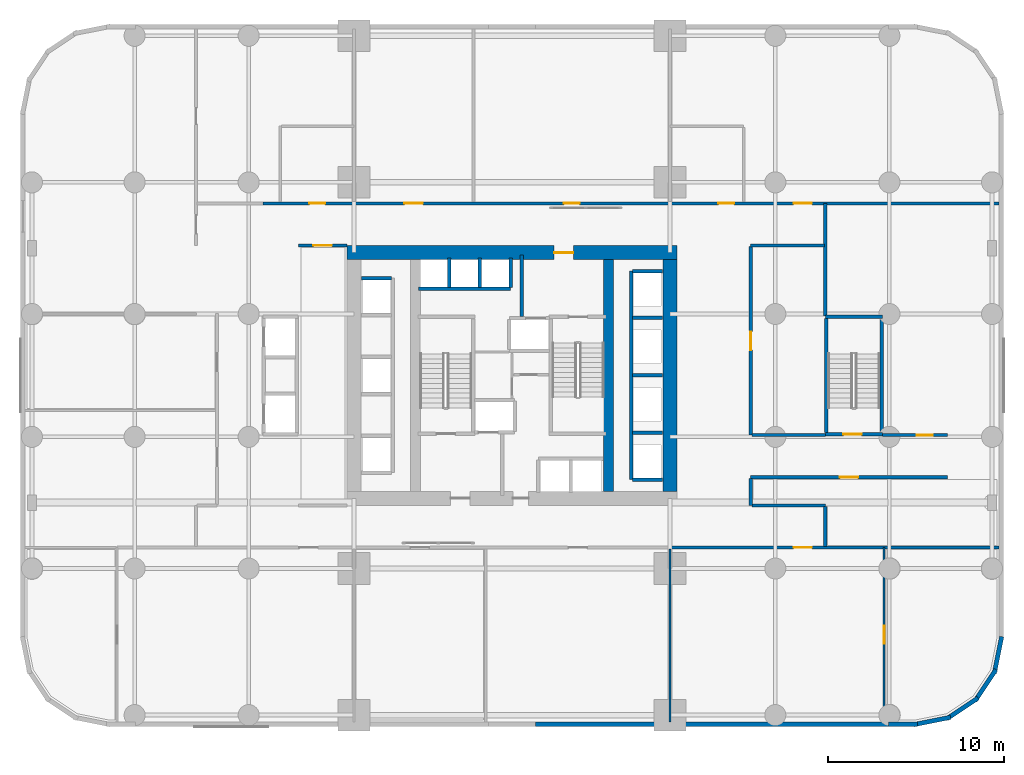
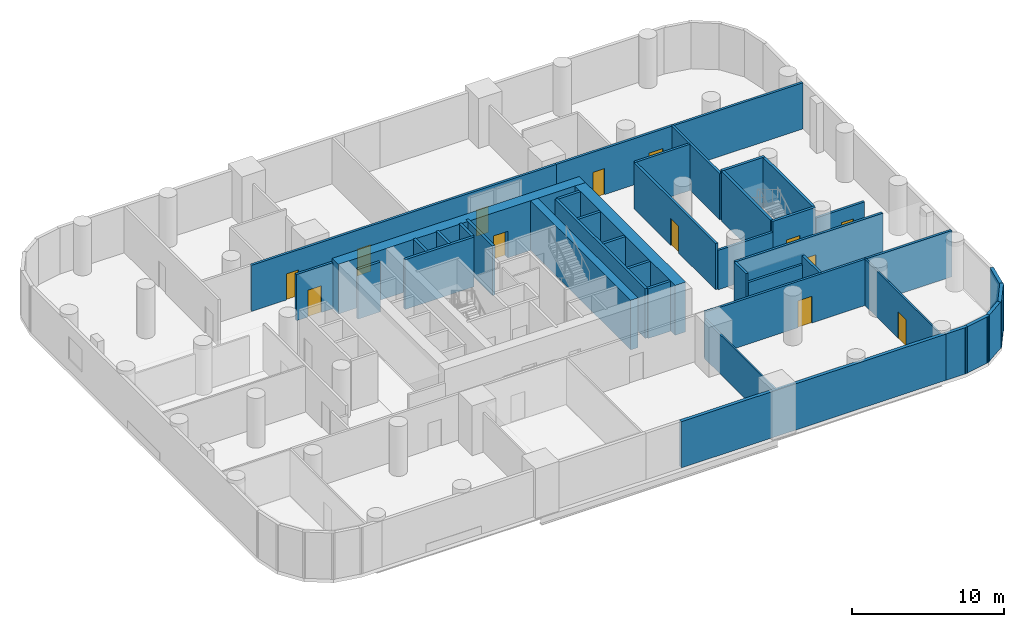
# One storey, part 8 of 12: 40 walls, 13 doors, 13 openings.
"""IFC4 building model written with IfcOpenShell, lengths in metres."""

from ifc_helpers import new_model, si_unit, direction, frame, frame_2d, origin, place, context, subcontext, project, spatial, rectangle, extrude, material, layer, layer_set, type_object, element, fill, save


model = new_model("IFC4")

# Units and contexts
model_context = context("Model", 3, precision=1e-05, world=origin(), true_north=direction((0.0, 1.0)))
body_context = subcontext(model_context, "Body", "Model", "MODEL_VIEW")
ifc_project = project(units=[si_unit("LENGTHUNIT", "METRE"), si_unit("AREAUNIT", "SQUARE_METRE"), si_unit("VOLUMEUNIT", "CUBIC_METRE"), si_unit("PLANEANGLEUNIT", "RADIAN"), si_unit("MASSUNIT", "GRAM", prefix="KILO")], contexts=[model_context])

# Site, building, storey
site_placement = place(None, origin())
site = spatial("IfcSite", under=ifc_project, at=site_placement, CompositionType="ELEMENT")
building_placement = place(site_placement, origin())
building = spatial("IfcBuilding", under=site, at=building_placement, Name="Veldorim Arch Residences", CompositionType="ELEMENT")
storey_placement = place(building_placement, frame((0.0, 0.0, 12.0)))
storey = spatial("IfcBuildingStorey", under=building, at=storey_placement, Name="L03", CompositionType="ELEMENT", Elevation=12.0)

# Wall, opening, door
ifc_material_1 = material(Name="Acoustic Gypsum Board", Category="gypsum")
ifc_layer_1 = layer(ifc_material_1, 0.125, Name="Acoustic Stud Room Partition Wall 125")
ifc_layer_set_1 = layer_set([ifc_layer_1], Name="Acoustic Gypsum Board")
wall_type_1 = type_object("IfcWallType", Name="Acoustic Stud Room Partition Wall 125", PredefinedType="PARTITIONING", material=ifc_layer_set_1)
wall_1_placement = place(storey_placement, frame((53.199951171875, 14.199951171875, 0.0), z_axis=(0.0, 0.0, 1.0), x_axis=(0.0, -1.0, 0.0)))
wall_1 = element("IfcWall", 1, at=wall_1_placement, inside=storey, type_object=wall_type_1, Name="L03 interior wall WL-POD-L03-029", PredefinedType="PARTITIONING", context=body_context, shape_type="SweptSolid", body=[
    extrude(rectangle(XDim=9.949951171875, YDim=0.125, at=frame_2d((4.97509765625, 0.0))), origin(), (0.0, 0.0, 1.0), 3.715087890625),
])
opening_1_placement = place(wall_1_placement, frame((4.449951171875, 0.0, 0.0)))
opening_1 = element("IfcOpeningElement", 2, at=opening_1_placement, cuts=wall_1, Name="Opening DR-CLN", PredefinedType="OPENING", context=body_context, shape_type="SweptSolid", body=[
    extrude(rectangle(XDim=1.050048828125, YDim=2.14990234375, at=frame_2d((0.52490234375, 1.074951171875))), frame((0.0, 0.072509765625, 0.0), z_axis=(0.0, -1.0, 0.0), x_axis=(1.0, 0.0, 0.0)), (0.0, 0.0, 1.0), 0.14501953125),
])
ifc_material_2 = material(Name="Timber & Vision Panel", Category="wood")
door_type_1 = type_object("IfcDoorType", Name="Polyclinic Wheelchair-Accessible Consultation Door 1050x2150", OperationType="SINGLE_SWING_LEFT", PredefinedType="DOOR", material=ifc_material_2)
door_1_placement = place(opening_1_placement, origin())
door_1 = element("IfcDoor", 3, at=door_1_placement, inside=storey, type_object=door_type_1, Name="L03 interior door DR-POD-L03-010", OperationType="SINGLE_SWING_RIGHT", OverallHeight=2.14990234375, OverallWidth=1.050048828125, PredefinedType="DOOR", context=body_context, shape_type="SweptSolid", body=[
    extrude(rectangle(XDim=1.050048828125, YDim=2.14990234375, at=frame_2d((0.52490234375, 1.074951171875))), frame((0.0, 0.02490234375, 0.0), z_axis=(0.0, -1.0, 0.0), x_axis=(1.0, 0.0, 0.0)), (0.0, 0.0, 1.0), 0.050048828125),
])
fill(opening_1, door_1)

# Wall
wall_2_placement = place(storey_placement, frame((41.0, 4.25, 0.0), z_axis=(0.0, 0.0, 1.0), x_axis=(0.0, 1.0, 0.0)))
element("IfcWall", 4, at=wall_2_placement, inside=storey, type_object=wall_type_1, Name="L03 interior wall WL-POD-L03-030", PredefinedType="PARTITIONING", context=body_context, shape_type="SweptSolid", body=[
    extrude(rectangle(XDim=9.85009765625, YDim=0.125, at=frame_2d((4.925048828125, 0.0))), origin(), (0.0, 0.0, 1.0), 3.17138671875),
])

# Wall, openings, doors
ifc_material_3 = material(Name="Lightweight Masonry Block & Gypsum", Category="masonry")
ifc_layer_2 = layer(ifc_material_3, 0.179931640625, Name="Compartment & Corridor Fire-Rated Party Wall 180")
ifc_layer_set_2 = layer_set([ifc_layer_2], Name="Lightweight Masonry Block & Gypsum")
wall_type_2 = type_object("IfcWallType", Name="Compartment & Corridor Fire-Rated Party Wall 180", PredefinedType="PARTITIONING", material=ifc_layer_set_2)
wall_3_placement = place(storey_placement, frame((17.800048828125, 33.800048828125, 0.0), z_axis=(0.0, 0.0, 1.0), x_axis=(1.0, 0.0, 0.0)))
wall_3 = element("IfcWall", 5, at=wall_3_placement, inside=storey, type_object=wall_type_2, Name="L03 interior wall WL-POD-L03-006", PredefinedType="PARTITIONING", context=body_context, shape_type="SweptSolid", body=[
    extrude(rectangle(XDim=23.219970703125, YDim=0.179931640625, at=frame_2d((11.60986328125, 0.0))), origin(), (0.0, 0.0, 1.0), 3.715087890625),
])
opening_2_placement = place(wall_3_placement, frame((2.64990234375, 0.0, 0.0)))
opening_2 = element("IfcOpeningElement", 6, at=opening_2_placement, cuts=wall_3, Name="Opening DR-WC", PredefinedType="OPENING", context=body_context, shape_type="SweptSolid", body=[
    extrude(rectangle(XDim=0.89990234375, YDim=2.10009765625, at=frame_2d((0.449951171875, 1.050048828125))), frame((0.0, 0.099853515625, 0.0), z_axis=(0.0, -1.0, 0.0), x_axis=(1.0, 0.0, 0.0)), (0.0, 0.0, 1.0), 0.199951171875),
])
opening_3_placement = place(wall_3_placement, frame((8.074951171875, 0.0, 0.0)))
opening_3 = element("IfcOpeningElement", 7, at=opening_3_placement, cuts=wall_3, Name="Opening DR-CLN", PredefinedType="OPENING", context=body_context, shape_type="SweptSolid", body=[
    extrude(rectangle(XDim=1.050048828125, YDim=2.14990234375, at=frame_2d((0.52490234375, 1.074951171875))), frame((0.0, 0.099853515625, 0.0), z_axis=(0.0, -1.0, 0.0), x_axis=(1.0, 0.0, 0.0)), (0.0, 0.0, 1.0), 0.199951171875),
])
opening_4_placement = place(wall_3_placement, frame((17.14990234375, 0.0, 0.0)))
opening_4 = element("IfcOpeningElement", 8, at=opening_4_placement, cuts=wall_3, Name="Opening DR-INT", PredefinedType="OPENING", context=body_context, shape_type="SweptSolid", body=[
    extrude(rectangle(XDim=0.89990234375, YDim=2.10009765625, at=frame_2d((0.449951171875, 1.050048828125))), frame((0.0, 0.099853515625, 0.0), z_axis=(0.0, -1.0, 0.0), x_axis=(1.0, 0.0, 0.0)), (0.0, 0.0, 1.0), 0.199951171875),
])
ifc_material_4 = material(Name="Engineered Timber", Category="wood")
door_type_2 = type_object("IfcDoorType", Name="Apartment Internal Room Timber Door 900x2100", OperationType="SINGLE_SWING_LEFT", PredefinedType="DOOR", material=ifc_material_4)
door_2_placement = place(opening_4_placement, origin())
door_2 = element("IfcDoor", 9, at=door_2_placement, inside=storey, type_object=door_type_2, Name="L03 interior door DR-POD-L03-019", OperationType="SINGLE_SWING_LEFT", OverallHeight=2.10009765625, OverallWidth=0.89990234375, PredefinedType="DOOR", context=body_context, shape_type="SweptSolid", body=[
    extrude(rectangle(XDim=0.89990234375, YDim=2.10009765625, at=frame_2d((0.449951171875, 1.050048828125))), frame((0.0, 0.02490234375, 0.0), z_axis=(0.0, -1.0, 0.0), x_axis=(1.0, 0.0, 0.0)), (0.0, 0.0, 1.0), 0.050048828125),
])
fill(opening_4, door_2)
ifc_material_5 = material(Name="Laminate Timber", Category="wood")
door_type_3 = type_object("IfcDoorType", Name="Bathroom & Accessible WC Moisture-Sealed Door 900x2100", OperationType="SINGLE_SWING_LEFT", PredefinedType="DOOR", material=ifc_material_5)
door_3_placement = place(opening_2_placement, origin())
door_3 = element("IfcDoor", 10, at=door_3_placement, inside=storey, type_object=door_type_3, Name="L03 interior door DR-POD-L03-006", OperationType="SINGLE_SWING_RIGHT", OverallHeight=2.10009765625, OverallWidth=0.89990234375, PredefinedType="DOOR", context=body_context, shape_type="SweptSolid", body=[
    extrude(rectangle(XDim=0.89990234375, YDim=2.10009765625, at=frame_2d((0.449951171875, 1.050048828125))), frame((0.0, 0.02490234375, 0.0), z_axis=(0.0, -1.0, 0.0), x_axis=(1.0, 0.0, 0.0)), (0.0, 0.0, 1.0), 0.050048828125),
])
fill(opening_2, door_3)
door_4_placement = place(opening_3_placement, origin())
door_4 = element("IfcDoor", 11, at=door_4_placement, inside=storey, type_object=door_type_1, Name="L03 interior door DR-POD-L03-018", OperationType="SINGLE_SWING_RIGHT", OverallHeight=2.14990234375, OverallWidth=1.050048828125, PredefinedType="DOOR", context=body_context, shape_type="SweptSolid", body=[
    extrude(rectangle(XDim=1.050048828125, YDim=2.14990234375, at=frame_2d((0.52490234375, 1.074951171875))), frame((0.0, 0.02490234375, 0.0), z_axis=(0.0, -1.0, 0.0), x_axis=(1.0, 0.0, 0.0)), (0.0, 0.0, 1.0), 0.050048828125),
])
fill(opening_3, door_4)

# Wall, opening, door
wall_4_placement = place(storey_placement, frame((22.60009765625, 31.39990234375, 0.0), z_axis=(0.0, 0.0, 1.0), x_axis=(-1.0, 0.0, 0.0)))
wall_4 = element("IfcWall", 12, at=wall_4_placement, inside=storey, type_object=wall_type_2, Name="L03 interior wall WL-POD-L03-008", PredefinedType="PARTITIONING", context=body_context, shape_type="SweptSolid", body=[
    extrude(rectangle(XDim=2.77001953125, YDim=0.179931640625, at=frame_2d((1.385009765625, 0.0))), origin(), (0.0, 0.0, 1.0), 3.715087890625),
])
opening_5_placement = place(wall_4_placement, frame((0.860107421875, 0.0, 0.0)))
opening_5 = element("IfcOpeningElement", 13, at=opening_5_placement, cuts=wall_4, Name="Opening DR-CLN", PredefinedType="OPENING", context=body_context, shape_type="SweptSolid", body=[
    extrude(rectangle(XDim=1.050048828125, YDim=2.14990234375, at=frame_2d((0.52490234375, 1.074951171875))), frame((0.0, 0.099853515625, 0.0), z_axis=(0.0, -1.0, 0.0), x_axis=(1.0, 0.0, 0.0)), (0.0, 0.0, 1.0), 0.199951171875),
])
door_5_placement = place(opening_5_placement, origin())
door_5 = element("IfcDoor", 14, at=door_5_placement, inside=storey, type_object=door_type_1, Name="L03 interior door DR-POD-L03-008", OperationType="SINGLE_SWING_RIGHT", OverallHeight=2.14990234375, OverallWidth=1.050048828125, PredefinedType="DOOR", context=body_context, shape_type="SweptSolid", body=[
    extrude(rectangle(XDim=1.050048828125, YDim=2.14990234375, at=frame_2d((0.52490234375, 1.074951171875))), frame((0.0, 0.02490234375, 0.0), z_axis=(0.0, -1.0, 0.0), x_axis=(1.0, 0.0, 0.0)), (0.0, 0.0, 1.0), 0.050048828125),
])
fill(opening_5, door_5)

wall_5_placement = place(storey_placement, frame((59.75, 14.199951171875, 0.0), z_axis=(0.0, 0.0, 1.0), x_axis=(-1.0, 0.0, 0.0)))
wall_5 = element("IfcWall", 15, at=wall_5_placement, inside=storey, type_object=wall_type_2, Name="L03 interior wall WL-POD-L03-010", PredefinedType="PARTITIONING", context=body_context, shape_type="SweptSolid", body=[
    extrude(rectangle(XDim=18.77001953125, YDim=0.179931640625, at=frame_2d((9.385009765625, 0.0))), origin(), (0.0, 0.0, 1.0), 3.715087890625),
])
opening_6_placement = place(wall_5_placement, frame((10.659912109375, 0.0, 0.0)))
opening_6 = element("IfcOpeningElement", 16, at=opening_6_placement, cuts=wall_5, Name="Opening DR-CLN", PredefinedType="OPENING", context=body_context, shape_type="SweptSolid", body=[
    extrude(rectangle(XDim=1.050048828125, YDim=2.14990234375, at=frame_2d((0.52490234375, 1.074951171875))), frame((0.0, 0.099853515625, 0.0), z_axis=(0.0, -1.0, 0.0), x_axis=(1.0, 0.0, 0.0)), (0.0, 0.0, 1.0), 0.199951171875),
])
door_6_placement = place(opening_6_placement, origin())
door_6 = element("IfcDoor", 17, at=door_6_placement, inside=storey, type_object=door_type_1, Name="L03 interior door DR-POD-L03-009", OperationType="SINGLE_SWING_LEFT", OverallHeight=2.14990234375, OverallWidth=1.050048828125, PredefinedType="DOOR", context=body_context, shape_type="SweptSolid", body=[
    extrude(rectangle(XDim=1.050048828125, YDim=2.14990234375, at=frame_2d((0.52490234375, 1.074951171875))), frame((0.0, 0.02490234375, 0.0), z_axis=(0.0, -1.0, 0.0), x_axis=(1.0, 0.0, 0.0)), (0.0, 0.0, 1.0), 0.050048828125),
])
fill(opening_6, door_6)

wall_6_placement = place(storey_placement, frame((56.800048828125, 18.199951171875, 0.0), z_axis=(0.0, 0.0, 1.0), x_axis=(-1.0, 0.0, 0.0)))
wall_6 = element("IfcWall", 18, at=wall_6_placement, inside=storey, type_object=wall_type_2, Name="L03 interior wall WL-POD-L03-011", PredefinedType="PARTITIONING", context=body_context, shape_type="SweptSolid", body=[
    extrude(rectangle(XDim=11.199951171875, YDim=0.179931640625, at=frame_2d((5.60009765625, 0.0))), origin(), (0.0, 0.0, 1.0), 3.715087890625),
])
opening_7_placement = place(wall_6_placement, frame((5.074951171875, 0.0, 0.0)))
opening_7 = element("IfcOpeningElement", 19, at=opening_7_placement, cuts=wall_6, Name="Opening DR-CLN", PredefinedType="OPENING", context=body_context, shape_type="SweptSolid", body=[
    extrude(rectangle(XDim=1.050048828125, YDim=2.14990234375, at=frame_2d((0.52490234375, 1.074951171875))), frame((0.0, 0.099853515625, 0.0), z_axis=(0.0, -1.0, 0.0), x_axis=(1.0, 0.0, 0.0)), (0.0, 0.0, 1.0), 0.199951171875),
])
door_7_placement = place(opening_7_placement, origin())
door_7 = element("IfcDoor", 20, at=door_7_placement, inside=storey, type_object=door_type_1, Name="L03 interior door DR-POD-L03-011", OperationType="SINGLE_SWING_LEFT", OverallHeight=2.14990234375, OverallWidth=1.050048828125, PredefinedType="DOOR", context=body_context, shape_type="SweptSolid", body=[
    extrude(rectangle(XDim=1.050048828125, YDim=2.14990234375, at=frame_2d((0.52490234375, 1.074951171875))), frame((0.0, 0.02490234375, 0.0), z_axis=(0.0, -1.0, 0.0), x_axis=(1.0, 0.0, 0.0)), (0.0, 0.0, 1.0), 0.050048828125),
])
fill(opening_7, door_7)

# Walls
wall_7_placement = place(storey_placement, frame((45.60009765625, 18.139892578125, 0.0), z_axis=(0.0, 0.0, 1.0), x_axis=(0.0, -1.0, 0.0)))
element("IfcWall", 21, at=wall_7_placement, inside=storey, type_object=wall_type_2, Name="L03 interior wall WL-POD-L03-012", PredefinedType="PARTITIONING", context=body_context, shape_type="SweptSolid", body=[
    extrude(rectangle(XDim=1.539794921875, YDim=0.179931640625, at=frame_2d((0.77001953125, 0.0))), origin(), (0.0, 0.0, 1.0), 3.715087890625),
])
wall_8_placement = place(storey_placement, frame((45.659912109375, 16.60009765625, 0.0), z_axis=(0.0, 0.0, 1.0), x_axis=(1.0, 0.0, 0.0)))
element("IfcWall", 22, at=wall_8_placement, inside=storey, type_object=wall_type_2, Name="L03 interior wall WL-POD-L03-013", PredefinedType="PARTITIONING", context=body_context, shape_type="SweptSolid", body=[
    extrude(rectangle(XDim=4.190185546875, YDim=0.179931640625, at=frame_2d((2.09521484375, 0.0))), origin(), (0.0, 0.0, 1.0), 3.008056640625),
])
wall_9_placement = place(storey_placement, frame((49.85009765625, 16.5400390625, 0.0), z_axis=(0.0, 0.0, 1.0), x_axis=(0.0, -1.0, 0.0)))
element("IfcWall", 23, at=wall_9_placement, inside=storey, type_object=wall_type_2, Name="L03 interior wall WL-POD-L03-014", PredefinedType="PARTITIONING", context=body_context, shape_type="SweptSolid", body=[
    extrude(rectangle(XDim=2.280029296875, YDim=0.179931640625, at=frame_2d((1.14013671875, 0.0))), origin(), (0.0, 0.0, 1.0), 3.715087890625),
])
wall_10_placement = place(storey_placement, frame((49.85009765625, 33.800048828125, 0.0), z_axis=(0.0, 0.0, 1.0), x_axis=(0.0, -1.0, 0.0)))
element("IfcWall", 24, at=wall_10_placement, inside=storey, type_object=wall_type_2, Name="L03 interior wall WL-POD-L03-015", PredefinedType="PARTITIONING", context=body_context, shape_type="SweptSolid", body=[
    extrude(rectangle(XDim=6.400146484375, YDim=0.179931640625, at=frame_2d((3.2001953125, 0.0))), origin(), (0.0, 0.0, 1.0), 3.715087890625),
])

# Wall, opening, door
wall_11_placement = place(storey_placement, frame((53.10009765625, 20.60009765625, 0.0), z_axis=(0.0, 0.0, 1.0), x_axis=(1.0, 0.0, 0.0)))
wall_11 = element("IfcWall", 25, at=wall_11_placement, inside=storey, type_object=wall_type_2, Name="L03 interior wall WL-POD-L03-016", PredefinedType="PARTITIONING", context=body_context, shape_type="SweptSolid", body=[
    extrude(rectangle(XDim=3.699951171875, YDim=0.179931640625, at=frame_2d((1.85009765625, 0.0))), origin(), (0.0, 0.0, 1.0), 3.16357421875),
])
opening_8_placement = place(wall_11_placement, frame((1.9599609375, 0.0, 0.0)))
opening_8 = element("IfcOpeningElement", 26, at=opening_8_placement, cuts=wall_11, Name="Opening DR-SVC", PredefinedType="OPENING", context=body_context, shape_type="SweptSolid", body=[
    extrude(rectangle(XDim=0.89990234375, YDim=2.10009765625, at=frame_2d((0.449951171875, 1.050048828125))), frame((0.0, 0.099853515625, 0.0), z_axis=(0.0, -1.0, 0.0), x_axis=(1.0, 0.0, 0.0)), (0.0, 0.0, 1.0), 0.199951171875),
])
ifc_material_6 = material(Name="Fire-Rated Steel", Category="steel")
door_type_4 = type_object("IfcDoorType", Name="Riser, Shelter & Plant Room Rated Steel Door 900x2100", OperationType="SINGLE_SWING_LEFT", PredefinedType="DOOR", material=ifc_material_6)
door_8_placement = place(opening_8_placement, origin())
door_8 = element("IfcDoor", 27, at=door_8_placement, inside=storey, type_object=door_type_4, Name="L03 interior door DR-POD-L03-012", OperationType="SINGLE_SWING_RIGHT", OverallHeight=2.10009765625, OverallWidth=0.89990234375, PredefinedType="DOOR", context=body_context, shape_type="SweptSolid", body=[
    extrude(rectangle(XDim=0.89990234375, YDim=2.10009765625, at=frame_2d((0.449951171875, 1.050048828125))), frame((0.0, 0.02490234375, 0.0), z_axis=(0.0, -1.0, 0.0), x_axis=(1.0, 0.0, 0.0)), (0.0, 0.0, 1.0), 0.050048828125),
])
fill(opening_8, door_8)

# Wall
wall_12_placement = place(storey_placement, frame((49.7900390625, 31.39990234375, 0.0), z_axis=(0.0, 0.0, 1.0), x_axis=(-1.0, 0.0, 0.0)))
element("IfcWall", 28, at=wall_12_placement, inside=storey, type_object=wall_type_2, Name="L03 interior wall WL-POD-L03-017", PredefinedType="PARTITIONING", context=body_context, shape_type="SweptSolid", body=[
    extrude(rectangle(XDim=4.18994140625, YDim=0.179931640625, at=frame_2d((2.094970703125, 0.0))), origin(), (0.0, 0.0, 1.0), 3.715087890625),
])

# Wall, opening, door
wall_13_placement = place(storey_placement, frame((45.60009765625, 31.340087890625, 0.0), z_axis=(0.0, 0.0, 1.0), x_axis=(0.0, -1.0, 0.0)))
wall_13 = element("IfcWall", 29, at=wall_13_placement, inside=storey, type_object=wall_type_2, Name="L03 interior wall WL-POD-L03-018", PredefinedType="PARTITIONING", context=body_context, shape_type="SweptSolid", body=[
    extrude(rectangle(XDim=10.739990234375, YDim=0.179931640625, at=frame_2d((5.3701171875, 0.0))), origin(), (0.0, 0.0, 1.0), 3.715087890625),
])
opening_9_placement = place(wall_13_placement, frame((4.844970703125, 0.0, 0.0)))
opening_9 = element("IfcOpeningElement", 30, at=opening_9_placement, cuts=wall_13, Name="Opening DR-CLN", PredefinedType="OPENING", context=body_context, shape_type="SweptSolid", body=[
    extrude(rectangle(XDim=1.050048828125, YDim=2.14990234375, at=frame_2d((0.52490234375, 1.074951171875))), frame((0.0, 0.099853515625, 0.0), z_axis=(0.0, -1.0, 0.0), x_axis=(1.0, 0.0, 0.0)), (0.0, 0.0, 1.0), 0.199951171875),
])
door_9_placement = place(opening_9_placement, origin())
door_9 = element("IfcDoor", 31, at=door_9_placement, inside=storey, type_object=door_type_1, Name="L03 interior door DR-POD-L03-013", OperationType="SINGLE_SWING_LEFT", OverallHeight=2.14990234375, OverallWidth=1.050048828125, PredefinedType="DOOR", context=body_context, shape_type="SweptSolid", body=[
    extrude(rectangle(XDim=1.050048828125, YDim=2.14990234375, at=frame_2d((0.52490234375, 1.074951171875))), frame((0.0, 0.02490234375, 0.0), z_axis=(0.0, -1.0, 0.0), x_axis=(1.0, 0.0, 0.0)), (0.0, 0.0, 1.0), 0.050048828125),
])
fill(opening_9, door_9)

# Wall
wall_14_placement = place(storey_placement, frame((45.659912109375, 20.60009765625, 0.0), z_axis=(0.0, 0.0, 1.0), x_axis=(1.0, 0.0, 0.0)))
element("IfcWall", 32, at=wall_14_placement, inside=storey, type_object=wall_type_2, Name="L03 interior wall WL-POD-L03-019", PredefinedType="PARTITIONING", context=body_context, shape_type="SweptSolid", body=[
    extrude(rectangle(XDim=4.190185546875, YDim=0.179931640625, at=frame_2d((2.09521484375, 0.0))), origin(), (0.0, 0.0, 1.0), 3.16357421875),
])

# Wall, openings, doors
wall_15_placement = place(storey_placement, frame((40.97998046875, 33.800048828125, 0.0), z_axis=(0.0, 0.0, 1.0), x_axis=(1.0, 0.0, 0.0)))
wall_15 = element("IfcWall", 33, at=wall_15_placement, inside=storey, type_object=wall_type_2, Name="L03 interior wall WL-POD-L03-020", PredefinedType="PARTITIONING", context=body_context, shape_type="SweptSolid", body=[
    extrude(rectangle(XDim=18.77001953125, YDim=0.179931640625, at=frame_2d((9.385009765625, 0.0))), origin(), (0.0, 0.0, 1.0), 3.715087890625),
])
opening_10_placement = place(wall_15_placement, frame((2.780029296875, 0.0, 0.0)))
opening_10 = element("IfcOpeningElement", 34, at=opening_10_placement, cuts=wall_15, Name="Opening DR-WC", PredefinedType="OPENING", context=body_context, shape_type="SweptSolid", body=[
    extrude(rectangle(XDim=0.89990234375, YDim=2.10009765625, at=frame_2d((0.449951171875, 1.050048828125))), frame((0.0, 0.099853515625, 0.0), z_axis=(0.0, -1.0, 0.0), x_axis=(1.0, 0.0, 0.0)), (0.0, 0.0, 1.0), 0.199951171875),
])
opening_11_placement = place(wall_15_placement, frame((7.06005859375, 0.0, 0.0)))
opening_11 = element("IfcOpeningElement", 35, at=opening_11_placement, cuts=wall_15, Name="Opening DR-CLN", PredefinedType="OPENING", context=body_context, shape_type="SweptSolid", body=[
    extrude(rectangle(XDim=1.050048828125, YDim=2.14990234375, at=frame_2d((0.52490234375, 1.074951171875))), frame((0.0, 0.099853515625, 0.0), z_axis=(0.0, -1.0, 0.0), x_axis=(1.0, 0.0, 0.0)), (0.0, 0.0, 1.0), 0.199951171875),
])
door_10_placement = place(opening_10_placement, origin())
door_10 = element("IfcDoor", 36, at=door_10_placement, inside=storey, type_object=door_type_3, Name="L03 interior door DR-POD-L03-014", OperationType="SINGLE_SWING_RIGHT", OverallHeight=2.10009765625, OverallWidth=0.89990234375, PredefinedType="DOOR", context=body_context, shape_type="SweptSolid", body=[
    extrude(rectangle(XDim=0.89990234375, YDim=2.10009765625, at=frame_2d((0.449951171875, 1.050048828125))), frame((0.0, 0.02490234375, 0.0), z_axis=(0.0, -1.0, 0.0), x_axis=(1.0, 0.0, 0.0)), (0.0, 0.0, 1.0), 0.050048828125),
])
fill(opening_10, door_10)
door_11_placement = place(opening_11_placement, origin())
door_11 = element("IfcDoor", 37, at=door_11_placement, inside=storey, type_object=door_type_1, Name="L03 interior door DR-POD-L03-015", OperationType="SINGLE_SWING_LEFT", OverallHeight=2.14990234375, OverallWidth=1.050048828125, PredefinedType="DOOR", context=body_context, shape_type="SweptSolid", body=[
    extrude(rectangle(XDim=1.050048828125, YDim=2.14990234375, at=frame_2d((0.52490234375, 1.074951171875))), frame((0.0, 0.02490234375, 0.0), z_axis=(0.0, -1.0, 0.0), x_axis=(1.0, 0.0, 0.0)), (0.0, 0.0, 1.0), 0.050048828125),
])
fill(opening_11, door_11)

# Walls
ifc_material_7 = material(Name="Concrete C50/60", Category="concrete")
ifc_layer_3 = layer(ifc_material_7, 0.199951171875, Name="Core Stair & Lift Shaft Enclosure Wall 200")
ifc_layer_set_3 = layer_set([ifc_layer_3], Name="Concrete C50/60")
wall_type_3 = type_object("IfcWallType", Name="Core Stair & Lift Shaft Enclosure Wall 200", PredefinedType="SHEAR", material=ifc_layer_set_3)
wall_16_placement = place(storey_placement, frame((32.550048828125, 27.35009765625, 0.0), z_axis=(0.0, 0.0, 1.0), x_axis=(0.0, 1.0, 0.0)))
element("IfcWall", 38, at=wall_16_placement, inside=storey, type_object=wall_type_3, Name="L03 shaft wall WL-FFL2-L03-W", PredefinedType="SHEAR", context=body_context, shape_type="SweptSolid", body=[
    extrude(rectangle(XDim=3.5, YDim=0.199951171875, at=frame_2d((1.75, 0.0))), origin(), (0.0, 0.0, 1.0), 4.0),
])
wall_17_placement = place(storey_placement, frame((38.800048828125, 18.06005859375, 0.0), z_axis=(0.0, 0.0, 1.0), x_axis=(0.0, 1.0, 0.0)))
element("IfcWall", 39, at=wall_17_placement, inside=storey, type_object=wall_type_3, Name="L03 shaft wall WL-B1-L03-W", PredefinedType="SHEAR", context=body_context, shape_type="SweptSolid", body=[
    extrude(rectangle(XDim=11.8798828125, YDim=0.199951171875, at=frame_2d((5.93994140625, 0.0))), origin(), (0.0, 0.0, 1.0), 4.0),
])
for number, where, z_axis, x_axis, name in (
    (40, (38.8701171875, 18.06005859375, 0.0), (0.0, 0.0, 1.0), (1.0, 0.0, 0.0), "L03 shaft wall WL-B1-L03-S"),
    (41, (38.8701171875, 29.93994140625, 0.0), (0.0, 0.0, 1.0), (1.0, 0.0, 0.0), "L03 shaft wall WL-B1-L03-N"),
    (42, (38.8701171875, 20.72509765625, 0.0), (0.0, 0.0, 1.0), (1.0, 0.0, 0.0), "L03 shaft wall WL-B1-L03-D1"),
    (43, (38.8701171875, 24.0, 0.0), (0.0, 0.0, 1.0), (1.0, 0.0, 0.0), "L03 shaft wall WL-B1-L03-D2"),
    (44, (38.8701171875, 27.27490234375, 0.0), (0.0, 0.0, 1.0), (1.0, 0.0, 0.0), "L03 shaft wall WL-B1-L03-D3"),
    (45, (23.419921875, 29.5400390625, 0.0), (0.0, 0.0, 1.0), (1.0, 0.0, 0.0), "L03 shaft wall WL-B2-L03-N"),
):
    element("IfcWall", number, at=place(storey_placement, frame(where, z_axis=z_axis, x_axis=x_axis)), inside=storey, type_object=wall_type_3, Name=name, PredefinedType="SHEAR", context=body_context, shape_type="SweptSolid", body=[
        extrude(rectangle(XDim=1.7099609375, YDim=0.199951171875, at=frame_2d((0.85498046875, 0.0))), origin(), (0.0, 0.0, 1.0), 4.0),
    ])
wall_18_placement = place(storey_placement, frame((26.679931640625, 28.949951171875, 0.0), z_axis=(0.0, 0.0, 1.0), x_axis=(1.0, 0.0, 0.0)))
element("IfcWall", 46, at=wall_18_placement, inside=storey, type_object=wall_type_3, Name="L03 shaft wall WL-B3-L03-S", PredefinedType="SHEAR", context=body_context, shape_type="SweptSolid", body=[
    extrude(rectangle(XDim=5.239990234375, YDim=0.199951171875, at=frame_2d((2.6201171875, 0.0))), origin(), (0.0, 0.0, 1.0), 4.0),
])
for number, where, z_axis, x_axis, name in (
    (47, (31.919921875, 29.02001953125, 0.0), (0.0, 0.0, 1.0), (0.0, 1.0, 0.0), "L03 shaft wall WL-B3-L03-E"),
    (48, (28.425048828125, 29.02001953125, 0.0), (0.0, 0.0, 1.0), (0.0, 1.0, 0.0), "L03 shaft wall WL-B3-L03-D1"),
    (49, (30.175048828125, 29.02001953125, 0.0), (0.0, 0.0, 1.0), (0.0, 1.0, 0.0), "L03 shaft wall WL-B3-L03-D2"),
):
    element("IfcWall", number, at=place(storey_placement, frame(where, z_axis=z_axis, x_axis=x_axis)), inside=storey, type_object=wall_type_3, Name=name, PredefinedType="SHEAR", context=body_context, shape_type="SweptSolid", body=[
        extrude(rectangle(XDim=1.659912109375, YDim=0.199951171875, at=frame_2d((0.830078125, 0.0))), origin(), (0.0, 0.0, 1.0), 4.0),
    ])
for number, where, z_axis, x_axis, name in (
    (50, (49.89990234375, 20.760009765625, 0.0), (0.0, 0.0, 1.0), (0.0, 1.0, 0.0), "L03 shaft wall WL-SHF-L03-ST3-W"),
    (51, (53.06005859375, 20.760009765625, 0.0), (0.0, 0.0, 1.0), (0.0, 1.0, 0.0), "L03 shaft wall WL-SHF-L03-ST3-E"),
):
    element("IfcWall", number, at=place(storey_placement, frame(where, z_axis=z_axis, x_axis=x_axis)), inside=storey, type_object=wall_type_3, Name=name, PredefinedType="SHEAR", context=body_context, shape_type="SweptSolid", body=[
        extrude(rectangle(XDim=6.47998046875, YDim=0.199951171875, at=frame_2d((3.239990234375, 0.0))), origin(), (0.0, 0.0, 1.0), 4.0),
    ])

# Wall, opening, door
wall_19_placement = place(storey_placement, frame((49.85009765625, 20.64990234375, 0.0), z_axis=(0.0, 0.0, 1.0), x_axis=(1.0, 0.0, 0.0)))
wall_19 = element("IfcWall", 52, at=wall_19_placement, inside=storey, type_object=wall_type_3, Name="L03 shaft wall WL-SHF-L03-ST3-S", PredefinedType="SHEAR", context=body_context, shape_type="SweptSolid", body=[
    extrude(rectangle(XDim=3.260009765625, YDim=0.199951171875, at=frame_2d((1.6298828125, 0.0))), origin(), (0.0, 0.0, 1.0), 4.0),
])
opening_12_placement = place(wall_19_placement, frame((1.02490234375, 0.0, 0.0)))
opening_12 = element("IfcOpeningElement", 53, at=opening_12_placement, cuts=wall_19, Name="Opening DR-ST", PredefinedType="OPENING", context=body_context, shape_type="SweptSolid", body=[
    extrude(rectangle(XDim=1.050048828125, YDim=2.14990234375, at=frame_2d((0.52490234375, 1.074951171875))), frame((0.0, 0.10986328125, 0.0), z_axis=(0.0, -1.0, 0.0), x_axis=(1.0, 0.0, 0.0)), (0.0, 0.0, 1.0), 0.219970703125),
])
ifc_material_8 = material(Name="Fire-Rated Steel", Category="steel")
door_type_5 = type_object("IfcDoorType", Name="Exit Staircase Self-Closing Fire Door 1050x2150", OperationType="SINGLE_SWING_LEFT", PredefinedType="DOOR", material=ifc_material_8)
door_12_placement = place(opening_12_placement, origin())
door_12 = element("IfcDoor", 54, at=door_12_placement, inside=storey, type_object=door_type_5, Name="L03 interior door DR-L03-ST3", OperationType="SINGLE_SWING_LEFT", OverallHeight=2.14990234375, OverallWidth=1.050048828125, PredefinedType="DOOR", context=body_context, shape_type="SweptSolid", body=[
    extrude(rectangle(XDim=1.050048828125, YDim=2.14990234375, at=frame_2d((0.52490234375, 1.074951171875))), frame((0.0, 0.02490234375, 0.0), z_axis=(0.0, -1.0, 0.0), x_axis=(1.0, 0.0, 0.0)), (0.0, 0.0, 1.0), 0.050048828125),
])
fill(opening_12, door_12)

# Walls
wall_20_placement = place(storey_placement, frame((49.85009765625, 27.35009765625, 0.0), z_axis=(0.0, 0.0, 1.0), x_axis=(1.0, 0.0, 0.0)))
element("IfcWall", 55, at=wall_20_placement, inside=storey, type_object=wall_type_3, Name="L03 shaft wall WL-SHF-L03-ST3-N", PredefinedType="SHEAR", context=body_context, shape_type="SweptSolid", body=[
    extrude(rectangle(XDim=3.260009765625, YDim=0.199951171875, at=frame_2d((1.6298828125, 0.0))), origin(), (0.0, 0.0, 1.0), 4.0),
])
ifc_material_9 = material(Name="Concrete C60/75", Category="concrete")
ifc_layer_4 = layer(ifc_material_9, 0.56005859375, Name="Internal Core Shear Web Wall 560")
ifc_layer_set_4 = layer_set([ifc_layer_4], Name="Concrete C60/75")
wall_type_4 = type_object("IfcWallType", Name="Internal Core Shear Web Wall 560", PredefinedType="SHEAR", material=ifc_layer_set_4)
wall_21_placement = place(storey_placement, frame((37.5, 17.39990234375, 0.0), z_axis=(0.0, 0.0, 1.0), x_axis=(0.0, 1.0, 0.0)))
element("IfcWall", 56, at=wall_21_placement, inside=storey, type_object=wall_type_4, Name="L03 core east internal shear web", PredefinedType="SHEAR", context=body_context, shape_type="SweptSolid", body=[
    extrude(rectangle(XDim=13.2001953125, YDim=0.56005859375, at=frame_2d((6.60009765625, 0.0))), origin(), (0.0, 0.0, 1.0), 4.0),
])

# Wall, opening, door
ifc_material_10 = material(Name="Concrete C60/75", Category="concrete")
ifc_layer_5 = layer(ifc_material_10, 0.800048828125, Name="Lower Central Core Shear Wall 800")
ifc_layer_set_5 = layer_set([ifc_layer_5], Name="Concrete C60/75")
wall_type_5 = type_object("IfcWallType", Name="Lower Central Core Shear Wall 800", PredefinedType="SHEAR", material=ifc_layer_set_5)
wall_22_placement = place(storey_placement, frame((22.60009765625, 31.0, 0.0), z_axis=(0.0, 0.0, 1.0), x_axis=(1.0, 0.0, 0.0)))
wall_22 = element("IfcWall", 57, at=wall_22_placement, inside=storey, type_object=wall_type_5, Name="L03 central core north shear wall", PredefinedType="SHEAR", context=body_context, shape_type="SweptSolid", body=[
    extrude(rectangle(XDim=18.7998046875, YDim=0.800048828125, at=frame_2d((9.39990234375, 0.0))), origin(), (0.0, 0.0, 1.0), 4.0),
])
opening_13_placement = place(wall_22_placement, frame((11.800048828125, 0.0, 0.0)))
opening_13 = element("IfcOpeningElement", 58, at=opening_13_placement, cuts=wall_22, Name="Opening DR-FFL", PredefinedType="OPENING", context=body_context, shape_type="SweptSolid", body=[
    extrude(rectangle(XDim=1.10009765625, YDim=2.14990234375, at=frame_2d((0.550048828125, 1.074951171875))), frame((0.0, 0.409912109375, 0.0), z_axis=(0.0, -1.0, 0.0), x_axis=(1.0, 0.0, 0.0)), (0.0, 0.0, 1.0), 0.820068359375),
])
ifc_material_11 = material(Name="Fire-Rated Steel & Vision Glass", Category="steel")
door_type_6 = type_object("IfcDoorType", Name="Firefighting Lobby Smoke-Stop Fire Door 1100x2150", OperationType="SINGLE_SWING_LEFT", PredefinedType="DOOR", material=ifc_material_11)
door_13_placement = place(opening_13_placement, origin())
door_13 = element("IfcDoor", 59, at=door_13_placement, inside=storey, type_object=door_type_6, Name="L03 interior door DR-L03-FFL2", OperationType="SINGLE_SWING_LEFT", OverallHeight=2.14990234375, OverallWidth=1.10009765625, PredefinedType="DOOR", context=body_context, shape_type="SweptSolid", body=[
    extrude(rectangle(XDim=1.10009765625, YDim=2.14990234375, at=frame_2d((0.550048828125, 1.074951171875))), frame((0.0, 0.02490234375, 0.0), z_axis=(0.0, -1.0, 0.0), x_axis=(1.0, 0.0, 0.0)), (0.0, 0.0, 1.0), 0.050048828125),
])
fill(opening_13, door_13)

# Walls
wall_23_placement = place(storey_placement, frame((41.0, 17.39990234375, 0.0), z_axis=(0.0, 0.0, 1.0), x_axis=(0.0, 1.0, 0.0)))
element("IfcWall", 60, at=wall_23_placement, inside=storey, type_object=wall_type_5, Name="L03 central core east shear wall", PredefinedType="SHEAR", context=body_context, shape_type="SweptSolid", body=[
    extrude(rectangle(XDim=13.2001953125, YDim=0.800048828125, at=frame_2d((6.60009765625, 0.0))), origin(), (0.0, 0.0, 1.0), 4.0),
])
ifc_material_12 = material(Name="Precast concrete C40/50", Category="concrete")
ifc_layer_6 = layer(ifc_material_12, 0.25, Name="Podium Terracotta Insulated Facade Wall 250")
ifc_layer_set_6 = layer_set([ifc_layer_6], Name="Precast concrete C40/50")
wall_type_6 = type_object("IfcWallType", Name="Podium Terracotta Insulated Facade Wall 250", PredefinedType="SOLIDWALL", material=ifc_layer_set_6)
wall_24_placement = place(storey_placement, frame((56.987060546875, 4.522705078125, 0.0), z_axis=(0.0, 0.0, 1.0), x_axis=(-0.980780974951, -0.195111965738, 0.0)))
element("IfcWall", 61, at=wall_24_placement, inside=storey, type_object=wall_type_6, Name="L03 podium terracotta facade wall 00", PredefinedType="SOLIDWALL", context=body_context, shape_type="SweptSolid", body=[
    extrude(rectangle(XDim=2.15087890625, YDim=0.25, at=frame_2d((1.075439453125, 0.0))), origin(), (0.0, 0.0, 1.0), 3.719970703125),
])
for number, where, z_axis, x_axis, name in (
    (62, (58.54931640625, 5.6240234375, 0.0), (0.0, 0.0, 1.0), (-0.831473633615, -0.555564214653, 0.0), "L03 podium terracotta facade wall 01"),
    (63, (59.571044921875, 7.2392578125, 0.0), (0.0, 0.0, 1.0), (-0.555564214653, -0.831473633615, 0.0), "L03 podium terracotta facade wall 02"),
):
    element("IfcWall", number, at=place(storey_placement, frame(where, z_axis=z_axis, x_axis=x_axis)), inside=storey, type_object=wall_type_6, Name=name, PredefinedType="SOLIDWALL", context=body_context, shape_type="SweptSolid", body=[
        extrude(rectangle(XDim=2.151123046875, YDim=0.25, at=frame_2d((1.07568359375, 0.0))), origin(), (0.0, 0.0, 1.0), 3.719970703125),
    ])
wall_25_placement = place(storey_placement, frame((59.89697265625, 9.12255859375, 0.0), z_axis=(0.0, 0.0, 1.0), x_axis=(-0.195111965738, -0.980780974951, 0.0)))
element("IfcWall", 64, at=wall_25_placement, inside=storey, type_object=wall_type_6, Name="L03 podium terracotta facade wall 03", PredefinedType="SOLIDWALL", context=body_context, shape_type="SweptSolid", body=[
    extrude(rectangle(XDim=2.15087890625, YDim=0.25, at=frame_2d((1.075439453125, 0.0))), origin(), (0.0, 0.0, 1.0), 3.719970703125),
])
wall_26_placement = place(storey_placement, frame((55.10009765625, 4.125, 0.0), z_axis=(0.0, 0.0, 1.0), x_axis=(-1.0, 0.0, 0.0)))
element("IfcWall", 65, at=wall_26_placement, inside=storey, type_object=wall_type_6, Name="L03 podium facade pier wall 19A", PredefinedType="SOLIDWALL", context=body_context, shape_type="SweptSolid", body=[
    extrude(rectangle(XDim=1.650146484375, YDim=0.25, at=frame_2d((0.8251953125, 0.0))), origin(), (0.0, 0.0, 1.0), 3.719970703125),
])
wall_27_placement = place(storey_placement, frame((53.449951171875, 4.125, 0.0), z_axis=(0.0, 0.0, 1.0), x_axis=(-1.0, 0.0, 0.0)))
element("IfcWall", 66, at=wall_27_placement, inside=storey, type_object=wall_type_6, Name="L03 podium facade wall 19C1", PredefinedType="SOLIDWALL", context=body_context, shape_type="SweptSolid", body=[
    extrude(rectangle(XDim=20.099853515625, YDim=0.25, at=frame_2d((10.0498046875, 0.0))), origin(), (0.0, 0.0, 1.0), 3.719970703125),
])

save(model, "model.ifc")
